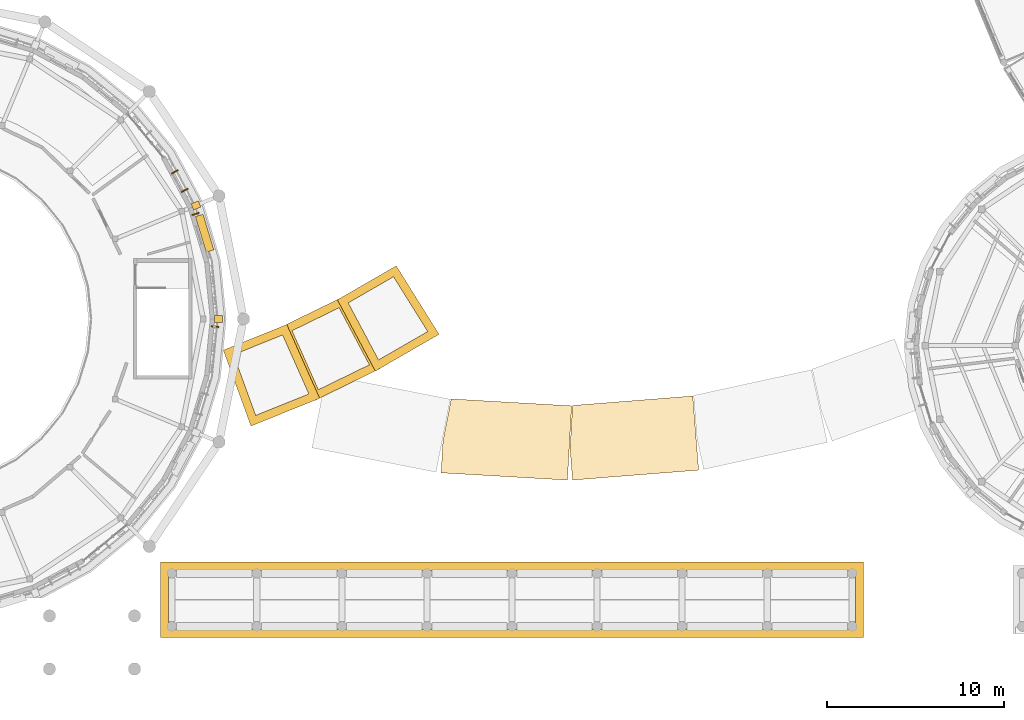
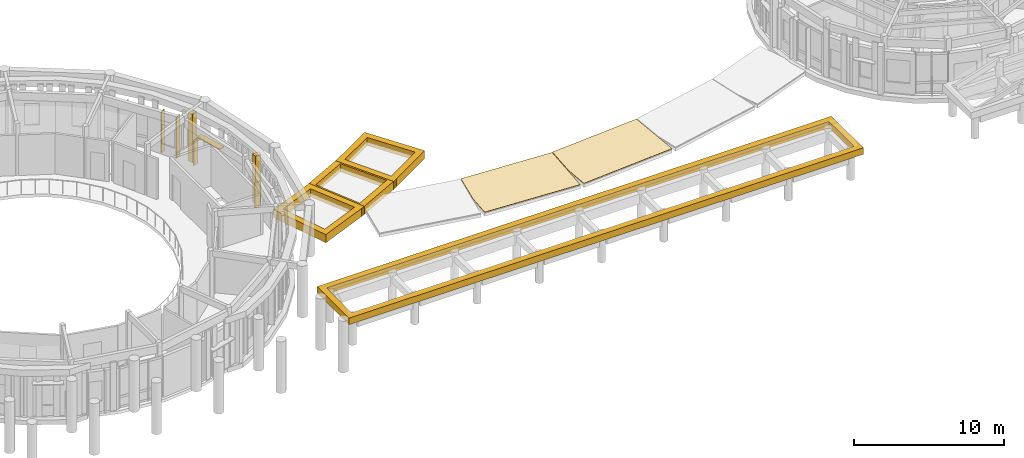
# One storey, part 71 of 80: 8 coverings, 5 shading devices.
"""IFC4 building model written with IfcOpenShell, lengths in metres."""

from ifc_helpers import new_model, si_unit, direction, frame, origin, origin_2d, place, context, subcontext, project, spatial, polyline, rectangle, outline, extrude, material, layer, layer_set, type_object, element, save


model = new_model("IFC4")

# Units and contexts
model_context = context("Model", 3, precision=1e-05, world=origin(), true_north=direction((0.0, 1.0)))
body_context = subcontext(model_context, "Body", "Model", "MODEL_VIEW")
ifc_project = project(units=[si_unit("LENGTHUNIT", "METRE"), si_unit("AREAUNIT", "SQUARE_METRE"), si_unit("VOLUMEUNIT", "CUBIC_METRE"), si_unit("PLANEANGLEUNIT", "RADIAN"), si_unit("MASSUNIT", "GRAM", prefix="KILO")], contexts=[model_context])

# Site, building, storey
site_placement = place(None, origin())
site = spatial("IfcSite", under=ifc_project, at=site_placement, CompositionType="ELEMENT")
building_placement = place(site_placement, origin())
building = spatial("IfcBuilding", under=site, at=building_placement, Name="Aldenvaro Health Centre", CompositionType="ELEMENT")
storey_placement = place(building_placement, frame((0.0, 0.0, 4.550048828125)))
storey = spatial("IfcBuildingStorey", under=building, at=storey_placement, Name="L01", CompositionType="ELEMENT", Elevation=4.550048828125)

# Coverings
ifc_material_1 = material(Name="Honed Sonoran Buff Limestone", Category="masonry")
ifc_layer_1 = layer(ifc_material_1, 0.280029296875, Name="Honed Sonoran Buff Limestone", Category="masonry")
ifc_layer_set_1 = layer_set([ifc_layer_1], Name="Honed Sonoran Buff Limestone")
covering_type_1 = type_object("IfcCoveringType", Name="COV-CRN-STN", PredefinedType="CLADDING", material=ifc_layer_set_1)
for number, where, z_axis, x_axis, name in (
    (1, (103.739990234375, 20.0, 0.0), (0.0, 0.0, 1.0), (1.0, 0.0, 0.0), "D1 L01 Engaged Classical Limestone Pilaster 01"),
    (2, (102.466064453125, 26.406005859375, 0.0), (0.0, 0.0, 1.0), (0.923883065715, 0.382674902345, 0.0), "D1 L01 Engaged Classical Limestone Pilaster 16"),
):
    element("IfcCovering", number, at=place(storey_placement, frame(where, z_axis=z_axis, x_axis=x_axis)), inside=storey, type_object=covering_type_1, Name=name, PredefinedType="CLADDING", context=body_context, shape_type="SweptSolid", body=[
        extrude(rectangle(XDim=0.43994140625, YDim=0.3798828125, at=origin_2d()), origin(), (0.0, 0.0, 1.0), 3.9599609375),
    ])
covering_1_placement = place(storey_placement, frame((0.0, 0.0, -0.25)))
element("IfcCovering", 3, at=covering_1_placement, inside=storey, type_object=covering_type_1, Name="Courtyard Peristyle Classical Entablature Crown 2", PredefinedType="CLADDING", context=body_context, shape_type="SweptSolid", body=[
    extrude(outline(polyline([(107.593994140625, 19.68896484375), (109.447998046875, 15.52294921875), (105.569091796875, 13.9560546875), (104.009033203125, 18.240966796875), (107.593994140625, 19.68896484375)]), holes=[polyline([(105.837890625, 14.56103515625), (108.833984375, 15.77099609375), (107.35400390625, 19.095947265625), (104.593994140625, 17.98095703125), (105.837890625, 14.56103515625)])]), origin(), (0.0, 0.0, 1.0), 0.659912109375),
])
covering_2_placement = place(storey_placement, frame((0.0, 0.0, -0.25)))
element("IfcCovering", 4, at=covering_2_placement, inside=storey, type_object=covering_type_1, Name="Courtyard Peristyle Classical Entablature Crown 4", PredefinedType="CLADDING", context=body_context, shape_type="SweptSolid", body=[
    extrude(outline(polyline([(107.2919921875, 19.555908203125), (110.738037109375, 21.237060546875), (112.87890625, 17.2109375), (109.14599609375, 15.388916015625), (107.2919921875, 19.555908203125)]), holes=[polyline([(112.25, 17.416015625), (110.541015625, 20.62890625), (107.89306640625, 19.3369140625), (109.373046875, 16.011962890625), (112.25, 17.416015625)])]), origin(), (0.0, 0.0, 1.0), 0.659912109375),
])
covering_3_placement = place(storey_placement, frame((0.0, 0.0, -0.25)))
element("IfcCovering", 5, at=covering_3_placement, inside=storey, type_object=covering_type_1, Name="Courtyard Peristyle Classical Entablature Crown 6", PredefinedType="CLADDING", context=body_context, shape_type="SweptSolid", body=[
    extrude(outline(polyline([(113.76904296875, 23.0009765625), (116.18505859375, 19.134033203125), (112.587890625, 17.056884765625), (110.446044921875, 21.0830078125), (113.76904296875, 23.0009765625)]), holes=[polyline([(112.77001953125, 17.693115234375), (115.54296875, 19.2939453125), (113.614013671875, 22.3798828125), (111.06103515625, 20.906982421875), (112.77001953125, 17.693115234375)])]), origin(), (0.0, 0.0, 1.0), 0.659912109375),
])
covering_4_placement = place(storey_placement, frame((0.0, 0.0, 2.099853515625)))
element("IfcCovering", 6, at=covering_4_placement, inside=storey, type_object=covering_type_1, Name="South Neoclassical Stoa E Entablature Cornice", PredefinedType="CLADDING", context=body_context, shape_type="SweptSolid", body=[
    extrude(outline(polyline([(100.469970703125, 2.02001953125), (100.469970703125, 6.280029296875), (140.1298828125, 6.280029296875), (140.1298828125, 2.02001953125), (100.469970703125, 2.02001953125)]), holes=[polyline([(139.669921875, 5.820068359375), (100.929931640625, 5.820068359375), (100.929931640625, 2.47998046875), (139.669921875, 2.47998046875), (139.669921875, 5.820068359375)])]), origin(), (0.0, 0.0, 1.0), 0.530029296875),
])
ifc_material_2 = material(Name="TPO Reflective Cool Roof Membrane")
ifc_layer_2 = layer(ifc_material_2, 0.030029296875, Name="TPO Reflective Cool Roof Membrane")
ifc_layer_set_2 = layer_set([ifc_layer_2], Name="TPO Reflective Cool Roof Membrane")
covering_type_2 = type_object("IfcCoveringType", Name="COV-RF-MEM", PredefinedType="ROOFING", material=ifc_layer_set_2)
covering_5_placement = place(storey_placement, frame((0.0, 0.0, 0.06005859375)))
element("IfcCovering", 7, at=covering_5_placement, inside=storey, type_object=covering_type_2, Name="South East Curved Peristyle Walkway Arc 2 flat roof Cool Limestone Ballast Membrane", PredefinedType="ROOFING", context=body_context, shape_type="SweptSolid", body=[
    extrude(outline(polyline([(123.6708984375, 15.10009765625), (123.428955078125, 10.906005859375), (116.299072265625, 11.31689453125), (116.403076171875, 13.118896484375), (116.867919921875, 15.491943359375), (123.6708984375, 15.10009765625)])), origin(), (0.0, 0.0, 1.0), 0.02978515625),
])
covering_6_placement = place(storey_placement, frame((0.0, 0.0, 0.06005859375)))
element("IfcCovering", 8, at=covering_6_placement, inside=storey, type_object=covering_type_2, Name="South East Curved Peristyle Walkway Arc 3 flat roof Cool Limestone Ballast Membrane", PredefinedType="ROOFING", context=body_context, shape_type="SweptSolid", body=[
    extrude(outline(polyline([(130.50390625, 15.656982421875), (130.833984375, 11.468994140625), (123.715087890625, 10.908935546875), (123.572998046875, 12.708984375), (123.7119140625, 15.1220703125), (130.50390625, 15.656982421875)])), origin(), (0.0, 0.0, 1.0), 0.02978515625),
])

# Shading devices
ifc_material_3 = material(Name="Douglas Fir Exterior Glulam GL28h", Category="wood")
shading_device_type_1 = type_object("IfcShadingDeviceType", Name="SHD-FIN-205", PredefinedType="USERDEFINED", material=ifc_material_3)
for number, where, z_axis, x_axis, name in (
    (9, (103.532958984375, 19.56494140625, -0.02001953125), (0.0, 0.0, 1.0), (-0.097994340783, -0.995186971968, 0.0), "D1 L01 Douglas fir fin 1.1"),
    (10, (102.44091796875, 25.925048828125, -0.02001953125), (0.0, 0.0, 1.0), (0.290171396605, -0.95697469172, 0.0), "D1 L01 Douglas fir fin 31.1"),
):
    element("IfcShadingDevice", number, at=place(storey_placement, frame(where, z_axis=z_axis, x_axis=x_axis)), inside=storey, type_object=shading_device_type_1, Name=name, ObjectType="FIN", PredefinedType="USERDEFINED", context=body_context, shape_type="SweptSolid", body=[
        extrude(rectangle(XDim=0.06494140625, YDim=0.419921875, at=origin_2d()), origin(), (0.0, 0.0, 1.0), 2.050048828125),
    ])
shading_device_type_2 = type_object("IfcShadingDeviceType", Name="SHD-FIN-435", PredefinedType="USERDEFINED", material=ifc_material_3)
for number, where, z_axis, x_axis, name in (
    (11, (101.26806640625, 28.300048828125, -0.02001953125), (0.0, 0.0, 1.0), (0.471556629455, -0.88183578132, 0.0), "D1 L01 Douglas fir fin 30.2"),
    (12, (101.827880859375, 27.251953125, -0.02001953125), (0.0, 0.0, 1.0), (0.471556629455, -0.88183578132, 0.0), "D1 L01 Douglas fir fin 30.4"),
):
    element("IfcShadingDevice", number, at=place(storey_placement, frame(where, z_axis=z_axis, x_axis=x_axis)), inside=storey, type_object=shading_device_type_2, Name=name, ObjectType="FIN", PredefinedType="USERDEFINED", context=body_context, shape_type="SweptSolid", body=[
        extrude(rectangle(XDim=0.06494140625, YDim=0.419921875, at=origin_2d()), origin(), (0.0, 0.0, 1.0), 3.35400390625),
    ])
shading_device_type_3 = type_object("IfcShadingDeviceType", Name="SHD-LVR-210", PredefinedType="JALOUSIE", material=ifc_material_3)
shading_device_placement = place(storey_placement, frame((102.9560546875, 24.839111328125, 2.24755859375), z_axis=(0.0, 0.0, 1.0), x_axis=(0.290171396605, -0.95697469172, 0.0)))
element("IfcShadingDevice", 13, at=shading_device_placement, inside=storey, type_object=shading_device_type_3, Name="D1 L01 horizontal solar louvre 31", PredefinedType="JALOUSIE", context=body_context, shape_type="SweptSolid", body=[
    extrude(rectangle(XDim=2.10009765625, YDim=0.449951171875, at=origin_2d()), origin(), (0.0, 0.0, 1.0), 0.06494140625),
])

save(model, "model.ifc")
